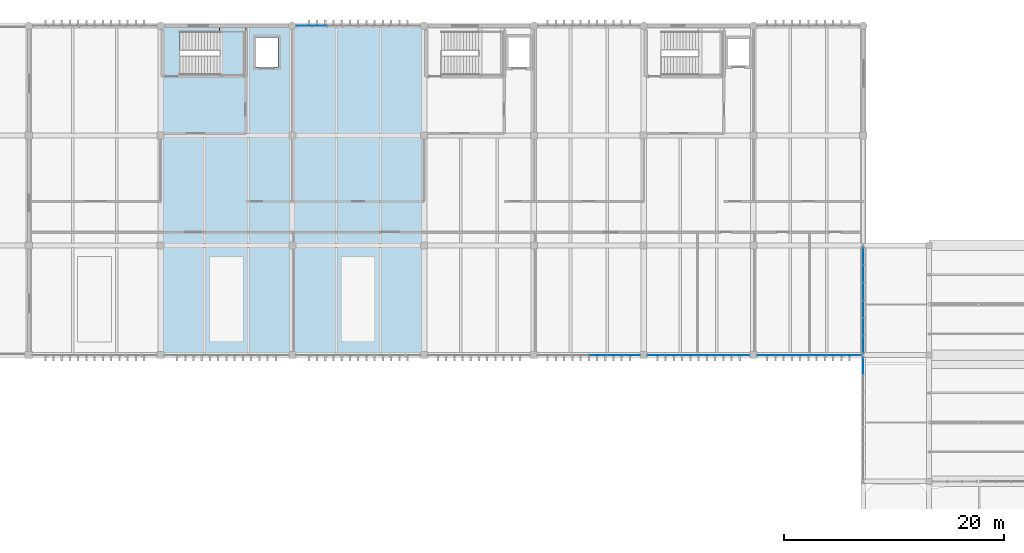
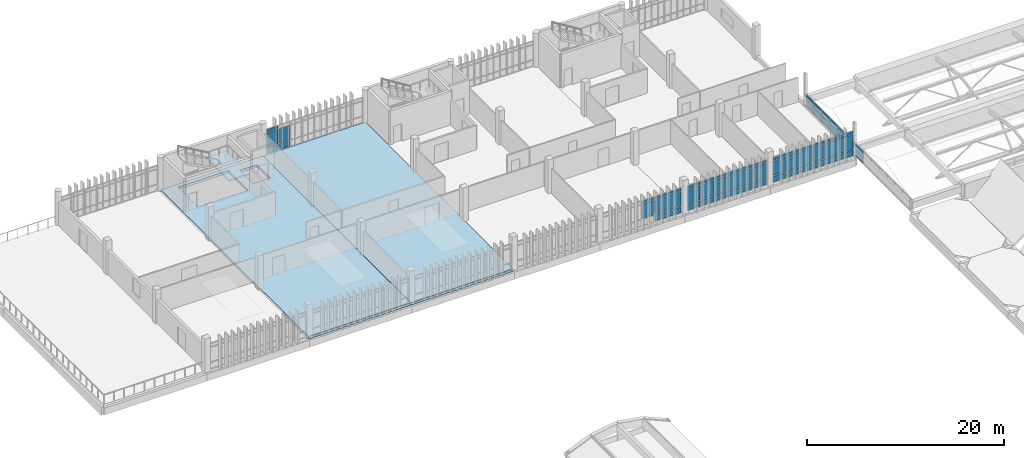
# One storey, part 69 of 82: 63 plates, 3 slabs, 7 elements without a shape of their own.
"""IFC4 building model written with IfcOpenShell, lengths in metres."""

from ifc_helpers import new_model, si_unit, direction, frame, origin, origin_2d, place, context, subcontext, project, spatial, polyline, rectangle, outline, extrude, material, layer, layer_set, type_object, element, aggregate, save


model = new_model("IFC4")

# Units and contexts
model_context = context("Model", 3, precision=1e-05, world=origin(), true_north=direction((0.0, 1.0)))
body_context = subcontext(model_context, "Body", "Model", "MODEL_VIEW")
ifc_project = project(units=[si_unit("LENGTHUNIT", "METRE"), si_unit("AREAUNIT", "SQUARE_METRE"), si_unit("VOLUMEUNIT", "CUBIC_METRE"), si_unit("PLANEANGLEUNIT", "RADIAN"), si_unit("MASSUNIT", "GRAM", prefix="KILO")], contexts=[model_context])

# Site, building, storey
site_placement = place(None, origin())
site = spatial("IfcSite", under=ifc_project, at=site_placement, CompositionType="ELEMENT")
building_placement = place(site_placement, origin())
building = spatial("IfcBuilding", under=site, at=building_placement, Name="Mersad Railyard Sports Hall", CompositionType="ELEMENT")
storey_placement = place(building_placement, frame((0.0, 0.0, 13.199951171875)))
storey = spatial("IfcBuildingStorey", under=building, at=storey_placement, Name="L03", CompositionType="ELEMENT", Elevation=13.199951171875)

# Curtain wall, plates
ifc_material_1 = material(Name="Aluminium 6063-T6", Category="aluminium")
ifc_layer_1 = layer(ifc_material_1, 0.159912109375)
ifc_layer_set_1 = layer_set([ifc_layer_1], Name="Aluminium 6063-T6")
curtain_wall_type_1 = type_object("IfcCurtainWallType", Name="ARC-CW-CW21", PredefinedType="USERDEFINED", material=ifc_layer_set_1)
curtain_wall_1_placement = place(storey_placement, origin())
curtain_wall_1 = element("IfcCurtainWall", 1, at=curtain_wall_1_placement, inside=storey, type_object=curtain_wall_type_1, Name="Curtain wall CW21-0080", ObjectType="CURTAIN WALL", PredefinedType="USERDEFINED")
ifc_material_2 = material(Name="Solar-control glass", Category="glass")
ifc_layer_2 = layer(ifc_material_2, 0.028076171875)
ifc_layer_set_2 = layer_set([ifc_layer_2], Name="Solar-control glass")
plate_type = type_object("IfcPlateType", Name="ARC-CW-PNL01", PredefinedType="CURTAIN_PANEL", material=ifc_layer_set_2)
plate_1_placement = place(storey_placement, frame((131.0, 84.032958984375, 0.0849609375), z_axis=(0.0, 0.0, 1.0), x_axis=(0.0, 1.0, 0.0)))
plate_1 = element("IfcPlate", 2, at=plate_1_placement, type_object=plate_type, Name="CW21 Glazed panel 7-1", PredefinedType="CURTAIN_PANEL", context=body_context, shape_type="SweptSolid", body=[
    extrude(rectangle(XDim=1.55029296875, YDim=0.028076171875, at=origin_2d()), origin(), (0.0, 0.0, 1.0), 0.735107421875),
])
plate_2_placement = place(storey_placement, frame((131.0, 84.032958984375, 0.91015625), z_axis=(0.0, 0.0, 1.0), x_axis=(0.0, 1.0, 0.0)))
plate_2 = element("IfcPlate", 3, at=plate_2_placement, type_object=plate_type, Name="CW21 Glazed panel 7-2", PredefinedType="CURTAIN_PANEL", context=body_context, shape_type="SweptSolid", body=[
    extrude(rectangle(XDim=1.55029296875, YDim=0.028076171875, at=origin_2d()), origin(), (0.0, 0.0, 1.0), 0.735107421875),
])
aggregate(curtain_wall_1, [plate_1, plate_2])

ifc_layer_3 = layer(ifc_material_1, 0.159912109375)
ifc_layer_set_3 = layer_set([ifc_layer_3], Name="Aluminium 6063-T6")
curtain_wall_type_2 = type_object("IfcCurtainWallType", Name="ARC-CW-CW24", PredefinedType="USERDEFINED", material=ifc_layer_set_3)
curtain_wall_2_placement = place(storey_placement, origin())
curtain_wall_2 = element("IfcCurtainWall", 4, at=curtain_wall_2_placement, inside=storey, type_object=curtain_wall_type_2, Name="Curtain wall CW24-0082", ObjectType="CURTAIN WALL", PredefinedType="USERDEFINED")
plate_3_placement = place(storey_placement, frame((131.0, 85.97509765625, 0.0849609375), z_axis=(0.0, 0.0, 1.0), x_axis=(0.0, 1.0, 0.0)))
plate_3 = element("IfcPlate", 5, at=plate_3_placement, type_object=plate_type, Name="CW24 Glazed panel 1-1", PredefinedType="CURTAIN_PANEL", context=body_context, shape_type="SweptSolid", body=[
    extrude(rectangle(XDim=1.56591796875, YDim=0.028076171875, at=origin_2d()), origin(), (0.0, 0.0, 1.0), 0.735107421875),
])
plate_4_placement = place(storey_placement, frame((131.0, 85.97509765625, 0.91015625), z_axis=(0.0, 0.0, 1.0), x_axis=(0.0, 1.0, 0.0)))
plate_4 = element("IfcPlate", 6, at=plate_4_placement, type_object=plate_type, Name="CW24 Glazed panel 1-2", PredefinedType="CURTAIN_PANEL", context=body_context, shape_type="SweptSolid", body=[
    extrude(rectangle(XDim=1.56591796875, YDim=0.028076171875, at=origin_2d()), origin(), (0.0, 0.0, 1.0), 0.735107421875),
])
plate_5_placement = place(storey_placement, frame((131.0, 87.5849609375, 0.0849609375), z_axis=(0.0, 0.0, 1.0), x_axis=(0.0, 1.0, 0.0)))
plate_5 = element("IfcPlate", 7, at=plate_5_placement, type_object=plate_type, Name="CW24 Glazed panel 2-1", PredefinedType="CURTAIN_PANEL", context=body_context, shape_type="SweptSolid", body=[
    extrude(rectangle(XDim=1.56591796875, YDim=0.028076171875, at=origin_2d()), origin(), (0.0, 0.0, 1.0), 0.735107421875),
])
plate_6_placement = place(storey_placement, frame((131.0, 87.5849609375, 0.91015625), z_axis=(0.0, 0.0, 1.0), x_axis=(0.0, 1.0, 0.0)))
plate_6 = element("IfcPlate", 8, at=plate_6_placement, type_object=plate_type, Name="CW24 Glazed panel 2-2", PredefinedType="CURTAIN_PANEL", context=body_context, shape_type="SweptSolid", body=[
    extrude(rectangle(XDim=1.56591796875, YDim=0.028076171875, at=origin_2d()), origin(), (0.0, 0.0, 1.0), 0.735107421875),
])
plate_7_placement = place(storey_placement, frame((131.0, 89.195068359375, 0.0849609375), z_axis=(0.0, 0.0, 1.0), x_axis=(0.0, 1.0, 0.0)))
plate_7 = element("IfcPlate", 9, at=plate_7_placement, type_object=plate_type, Name="CW24 Glazed panel 3-1", PredefinedType="CURTAIN_PANEL", context=body_context, shape_type="SweptSolid", body=[
    extrude(rectangle(XDim=1.56591796875, YDim=0.028076171875, at=origin_2d()), origin(), (0.0, 0.0, 1.0), 0.735107421875),
])
plate_8_placement = place(storey_placement, frame((131.0, 89.195068359375, 0.91015625), z_axis=(0.0, 0.0, 1.0), x_axis=(0.0, 1.0, 0.0)))
plate_8 = element("IfcPlate", 10, at=plate_8_placement, type_object=plate_type, Name="CW24 Glazed panel 3-2", PredefinedType="CURTAIN_PANEL", context=body_context, shape_type="SweptSolid", body=[
    extrude(rectangle(XDim=1.56591796875, YDim=0.028076171875, at=origin_2d()), origin(), (0.0, 0.0, 1.0), 0.735107421875),
])
plate_9_placement = place(storey_placement, frame((131.0, 90.804931640625, 0.0849609375), z_axis=(0.0, 0.0, 1.0), x_axis=(0.0, 1.0, 0.0)))
plate_9 = element("IfcPlate", 11, at=plate_9_placement, type_object=plate_type, Name="CW24 Glazed panel 4-1", PredefinedType="CURTAIN_PANEL", context=body_context, shape_type="SweptSolid", body=[
    extrude(rectangle(XDim=1.56591796875, YDim=0.028076171875, at=origin_2d()), origin(), (0.0, 0.0, 1.0), 0.735107421875),
])
plate_10_placement = place(storey_placement, frame((131.0, 90.804931640625, 0.91015625), z_axis=(0.0, 0.0, 1.0), x_axis=(0.0, 1.0, 0.0)))
plate_10 = element("IfcPlate", 12, at=plate_10_placement, type_object=plate_type, Name="CW24 Glazed panel 4-2", PredefinedType="CURTAIN_PANEL", context=body_context, shape_type="SweptSolid", body=[
    extrude(rectangle(XDim=1.56591796875, YDim=0.028076171875, at=origin_2d()), origin(), (0.0, 0.0, 1.0), 0.735107421875),
])
plate_11_placement = place(storey_placement, frame((131.0, 92.4150390625, 0.0849609375), z_axis=(0.0, 0.0, 1.0), x_axis=(0.0, 1.0, 0.0)))
plate_11 = element("IfcPlate", 13, at=plate_11_placement, type_object=plate_type, Name="CW24 Glazed panel 5-1", PredefinedType="CURTAIN_PANEL", context=body_context, shape_type="SweptSolid", body=[
    extrude(rectangle(XDim=1.56591796875, YDim=0.028076171875, at=origin_2d()), origin(), (0.0, 0.0, 1.0), 0.735107421875),
])
plate_12_placement = place(storey_placement, frame((131.0, 92.4150390625, 0.91015625), z_axis=(0.0, 0.0, 1.0), x_axis=(0.0, 1.0, 0.0)))
plate_12 = element("IfcPlate", 14, at=plate_12_placement, type_object=plate_type, Name="CW24 Glazed panel 5-2", PredefinedType="CURTAIN_PANEL", context=body_context, shape_type="SweptSolid", body=[
    extrude(rectangle(XDim=1.56591796875, YDim=0.028076171875, at=origin_2d()), origin(), (0.0, 0.0, 1.0), 0.735107421875),
])
plate_13_placement = place(storey_placement, frame((131.0, 94.02490234375, 0.0849609375), z_axis=(0.0, 0.0, 1.0), x_axis=(0.0, 1.0, 0.0)))
plate_13 = element("IfcPlate", 15, at=plate_13_placement, type_object=plate_type, Name="CW24 Glazed panel 6-1", PredefinedType="CURTAIN_PANEL", context=body_context, shape_type="SweptSolid", body=[
    extrude(rectangle(XDim=1.56591796875, YDim=0.028076171875, at=origin_2d()), origin(), (0.0, 0.0, 1.0), 0.735107421875),
])
plate_14_placement = place(storey_placement, frame((131.0, 94.02490234375, 0.91015625), z_axis=(0.0, 0.0, 1.0), x_axis=(0.0, 1.0, 0.0)))
plate_14 = element("IfcPlate", 16, at=plate_14_placement, type_object=plate_type, Name="CW24 Glazed panel 6-2", PredefinedType="CURTAIN_PANEL", context=body_context, shape_type="SweptSolid", body=[
    extrude(rectangle(XDim=1.56591796875, YDim=0.028076171875, at=origin_2d()), origin(), (0.0, 0.0, 1.0), 0.735107421875),
])
aggregate(curtain_wall_2, [plate_3, plate_4, plate_5, plate_6, plate_7, plate_8, plate_9, plate_10, plate_11, plate_12, plate_13, plate_14])

ifc_layer_4 = layer(ifc_material_1, 0.159912109375)
ifc_layer_set_4 = layer_set([ifc_layer_4], Name="Aluminium 6063-T6")
curtain_wall_type_3 = type_object("IfcCurtainWallType", Name="ARC-CW-CW57", PredefinedType="USERDEFINED", material=ifc_layer_set_4)
curtain_wall_3_placement = place(storey_placement, origin())
curtain_wall_3 = element("IfcCurtainWall", 17, at=curtain_wall_3_placement, inside=storey, type_object=curtain_wall_type_3, Name="Curtain wall CW57-0152", ObjectType="CURTAIN WALL", PredefinedType="USERDEFINED")
plate_15_placement = place(storey_placement, frame((80.07373046875, 115.0, 0.0849609375), z_axis=(0.0, 0.0, 1.0), x_axis=(1.0, 0.0, 0.0)))
plate_15 = element("IfcPlate", 18, at=plate_15_placement, type_object=plate_type, Name="CW57 Glazed panel 1-1", PredefinedType="CURTAIN_PANEL", context=body_context, shape_type="SweptSolid", body=[
    extrude(rectangle(XDim=1.363525390625, YDim=0.028076171875, at=origin_2d()), origin(), (0.0, 0.0, 1.0), 0.719970703125),
])
plate_16_placement = place(storey_placement, frame((80.07373046875, 115.0, 0.89501953125), z_axis=(0.0, 0.0, 1.0), x_axis=(1.0, 0.0, 0.0)))
plate_16 = element("IfcPlate", 19, at=plate_16_placement, type_object=plate_type, Name="CW57 Glazed panel 1-2", PredefinedType="CURTAIN_PANEL", context=body_context, shape_type="SweptSolid", body=[
    extrude(rectangle(XDim=1.363525390625, YDim=0.028076171875, at=origin_2d()), origin(), (0.0, 0.0, 1.0), 1.7900390625),
])
plate_17_placement = place(storey_placement, frame((80.07373046875, 115.0, 2.77490234375), z_axis=(0.0, 0.0, 1.0), x_axis=(1.0, 0.0, 0.0)))
plate_17 = element("IfcPlate", 20, at=plate_17_placement, type_object=plate_type, Name="CW57 Glazed panel 1-3", PredefinedType="CURTAIN_PANEL", context=body_context, shape_type="SweptSolid", body=[
    extrude(rectangle(XDim=1.363525390625, YDim=0.028076171875, at=origin_2d()), origin(), (0.0, 0.0, 1.0), 0.35009765625),
])
plate_18_placement = place(storey_placement, frame((81.481201171875, 115.0, 0.0849609375), z_axis=(0.0, 0.0, 1.0), x_axis=(1.0, 0.0, 0.0)))
plate_18 = element("IfcPlate", 21, at=plate_18_placement, type_object=plate_type, Name="CW57 Glazed panel 2-1", PredefinedType="CURTAIN_PANEL", context=body_context, shape_type="SweptSolid", body=[
    extrude(rectangle(XDim=1.363525390625, YDim=0.028076171875, at=origin_2d()), origin(), (0.0, 0.0, 1.0), 0.719970703125),
])
plate_19_placement = place(storey_placement, frame((81.481201171875, 115.0, 0.89501953125), z_axis=(0.0, 0.0, 1.0), x_axis=(1.0, 0.0, 0.0)))
plate_19 = element("IfcPlate", 22, at=plate_19_placement, type_object=plate_type, Name="CW57 Glazed panel 2-2", PredefinedType="CURTAIN_PANEL", context=body_context, shape_type="SweptSolid", body=[
    extrude(rectangle(XDim=1.363525390625, YDim=0.028076171875, at=origin_2d()), origin(), (0.0, 0.0, 1.0), 1.7900390625),
])
aggregate(curtain_wall_3, [plate_15, plate_16, plate_17, plate_18, plate_19])

ifc_layer_5 = layer(ifc_material_1, 0.159912109375)
ifc_layer_set_5 = layer_set([ifc_layer_5], Name="Aluminium 6063-T6")
curtain_wall_type_4 = type_object("IfcCurtainWallType", Name="ARC-CW-CW60", PredefinedType="USERDEFINED", material=ifc_layer_set_5)
curtain_wall_4_placement = place(storey_placement, origin())
curtain_wall_4 = element("IfcCurtainWall", 23, at=curtain_wall_4_placement, inside=storey, type_object=curtain_wall_type_4, Name="Curtain wall CW60-0159", ObjectType="CURTAIN WALL", PredefinedType="USERDEFINED")
plate_20_placement = place(storey_placement, frame((109.879150390625, 85.0, 0.0849609375), z_axis=(0.0, 0.0, 1.0), x_axis=(-1.0, 0.0, 0.0)))
plate_20 = element("IfcPlate", 24, at=plate_20_placement, type_object=plate_type, Name="CW60 Glazed panel 1-1", PredefinedType="CURTAIN_PANEL", context=body_context, shape_type="SweptSolid", body=[
    extrude(rectangle(XDim=1.507568359375, YDim=0.028076171875, at=origin_2d()), origin(), (0.0, 0.0, 1.0), 0.719970703125),
])
plate_21_placement = place(storey_placement, frame((109.879150390625, 85.0, 0.89501953125), z_axis=(0.0, 0.0, 1.0), x_axis=(-1.0, 0.0, 0.0)))
plate_21 = element("IfcPlate", 25, at=plate_21_placement, type_object=plate_type, Name="CW60 Glazed panel 1-2", PredefinedType="CURTAIN_PANEL", context=body_context, shape_type="SweptSolid", body=[
    extrude(rectangle(XDim=1.507568359375, YDim=0.028076171875, at=origin_2d()), origin(), (0.0, 0.0, 1.0), 1.7900390625),
])
plate_22_placement = place(storey_placement, frame((109.879150390625, 85.0, 2.77490234375), z_axis=(0.0, 0.0, 1.0), x_axis=(-1.0, 0.0, 0.0)))
plate_22 = element("IfcPlate", 26, at=plate_22_placement, type_object=plate_type, Name="CW60 Glazed panel 1-3", PredefinedType="CURTAIN_PANEL", context=body_context, shape_type="SweptSolid", body=[
    extrude(rectangle(XDim=1.507568359375, YDim=0.028076171875, at=origin_2d()), origin(), (0.0, 0.0, 1.0), 0.35009765625),
])
plate_23_placement = place(storey_placement, frame((108.327392578125, 85.0, 0.0849609375), z_axis=(0.0, 0.0, 1.0), x_axis=(-1.0, 0.0, 0.0)))
plate_23 = element("IfcPlate", 27, at=plate_23_placement, type_object=plate_type, Name="CW60 Glazed panel 2-1", PredefinedType="CURTAIN_PANEL", context=body_context, shape_type="SweptSolid", body=[
    extrude(rectangle(XDim=1.507568359375, YDim=0.028076171875, at=origin_2d()), origin(), (0.0, 0.0, 1.0), 0.719970703125),
])
plate_24_placement = place(storey_placement, frame((108.327392578125, 85.0, 0.89501953125), z_axis=(0.0, 0.0, 1.0), x_axis=(-1.0, 0.0, 0.0)))
plate_24 = element("IfcPlate", 28, at=plate_24_placement, type_object=plate_type, Name="CW60 Glazed panel 2-2", PredefinedType="CURTAIN_PANEL", context=body_context, shape_type="SweptSolid", body=[
    extrude(rectangle(XDim=1.507568359375, YDim=0.028076171875, at=origin_2d()), origin(), (0.0, 0.0, 1.0), 1.7900390625),
])
plate_25_placement = place(storey_placement, frame((108.327392578125, 85.0, 2.77490234375), z_axis=(0.0, 0.0, 1.0), x_axis=(-1.0, 0.0, 0.0)))
plate_25 = element("IfcPlate", 29, at=plate_25_placement, type_object=plate_type, Name="CW60 Glazed panel 2-3", PredefinedType="CURTAIN_PANEL", context=body_context, shape_type="SweptSolid", body=[
    extrude(rectangle(XDim=1.507568359375, YDim=0.028076171875, at=origin_2d()), origin(), (0.0, 0.0, 1.0), 0.35009765625),
])
plate_26_placement = place(storey_placement, frame((106.77587890625, 85.0, 0.89501953125), z_axis=(0.0, 0.0, 1.0), x_axis=(-1.0, 0.0, 0.0)))
plate_26 = element("IfcPlate", 30, at=plate_26_placement, type_object=plate_type, Name="CW60 Glazed panel 3-2", PredefinedType="CURTAIN_PANEL", context=body_context, shape_type="SweptSolid", body=[
    extrude(rectangle(XDim=1.507568359375, YDim=0.028076171875, at=origin_2d()), origin(), (0.0, 0.0, 1.0), 1.7900390625),
])
plate_27_placement = place(storey_placement, frame((106.77587890625, 85.0, 2.77490234375), z_axis=(0.0, 0.0, 1.0), x_axis=(-1.0, 0.0, 0.0)))
plate_27 = element("IfcPlate", 31, at=plate_27_placement, type_object=plate_type, Name="CW60 Glazed panel 3-3", PredefinedType="CURTAIN_PANEL", context=body_context, shape_type="SweptSolid", body=[
    extrude(rectangle(XDim=1.507568359375, YDim=0.028076171875, at=origin_2d()), origin(), (0.0, 0.0, 1.0), 0.35009765625),
])
aggregate(curtain_wall_4, [plate_20, plate_21, plate_22, plate_23, plate_24, plate_25, plate_26, plate_27])

curtain_wall_5_placement = place(storey_placement, origin())
curtain_wall_5 = element("IfcCurtainWall", 32, at=curtain_wall_5_placement, inside=storey, type_object=curtain_wall_type_4, Name="Curtain wall CW60-0160", ObjectType="CURTAIN WALL", PredefinedType="USERDEFINED")
plate_28_placement = place(storey_placement, frame((119.879150390625, 85.0, 0.0849609375), z_axis=(0.0, 0.0, 1.0), x_axis=(-1.0, 0.0, 0.0)))
plate_28 = element("IfcPlate", 33, at=plate_28_placement, type_object=plate_type, Name="CW60 Glazed panel 1-1", PredefinedType="CURTAIN_PANEL", context=body_context, shape_type="SweptSolid", body=[
    extrude(rectangle(XDim=1.507568359375, YDim=0.028076171875, at=origin_2d()), origin(), (0.0, 0.0, 1.0), 0.719970703125),
])
plate_29_placement = place(storey_placement, frame((119.879150390625, 85.0, 0.89501953125), z_axis=(0.0, 0.0, 1.0), x_axis=(-1.0, 0.0, 0.0)))
plate_29 = element("IfcPlate", 34, at=plate_29_placement, type_object=plate_type, Name="CW60 Glazed panel 1-2", PredefinedType="CURTAIN_PANEL", context=body_context, shape_type="SweptSolid", body=[
    extrude(rectangle(XDim=1.507568359375, YDim=0.028076171875, at=origin_2d()), origin(), (0.0, 0.0, 1.0), 1.7900390625),
])
plate_30_placement = place(storey_placement, frame((119.879150390625, 85.0, 2.77490234375), z_axis=(0.0, 0.0, 1.0), x_axis=(-1.0, 0.0, 0.0)))
plate_30 = element("IfcPlate", 35, at=plate_30_placement, type_object=plate_type, Name="CW60 Glazed panel 1-3", PredefinedType="CURTAIN_PANEL", context=body_context, shape_type="SweptSolid", body=[
    extrude(rectangle(XDim=1.507568359375, YDim=0.028076171875, at=origin_2d()), origin(), (0.0, 0.0, 1.0), 0.35009765625),
])
plate_31_placement = place(storey_placement, frame((118.327392578125, 85.0, 0.0849609375), z_axis=(0.0, 0.0, 1.0), x_axis=(-1.0, 0.0, 0.0)))
plate_31 = element("IfcPlate", 36, at=plate_31_placement, type_object=plate_type, Name="CW60 Glazed panel 2-1", PredefinedType="CURTAIN_PANEL", context=body_context, shape_type="SweptSolid", body=[
    extrude(rectangle(XDim=1.507568359375, YDim=0.028076171875, at=origin_2d()), origin(), (0.0, 0.0, 1.0), 0.719970703125),
])
plate_32_placement = place(storey_placement, frame((118.327392578125, 85.0, 0.89501953125), z_axis=(0.0, 0.0, 1.0), x_axis=(-1.0, 0.0, 0.0)))
plate_32 = element("IfcPlate", 37, at=plate_32_placement, type_object=plate_type, Name="CW60 Glazed panel 2-2", PredefinedType="CURTAIN_PANEL", context=body_context, shape_type="SweptSolid", body=[
    extrude(rectangle(XDim=1.507568359375, YDim=0.028076171875, at=origin_2d()), origin(), (0.0, 0.0, 1.0), 1.7900390625),
])
plate_33_placement = place(storey_placement, frame((118.327392578125, 85.0, 2.77490234375), z_axis=(0.0, 0.0, 1.0), x_axis=(-1.0, 0.0, 0.0)))
plate_33 = element("IfcPlate", 38, at=plate_33_placement, type_object=plate_type, Name="CW60 Glazed panel 2-3", PredefinedType="CURTAIN_PANEL", context=body_context, shape_type="SweptSolid", body=[
    extrude(rectangle(XDim=1.507568359375, YDim=0.028076171875, at=origin_2d()), origin(), (0.0, 0.0, 1.0), 0.35009765625),
])
plate_34_placement = place(storey_placement, frame((116.77587890625, 85.0, 0.0849609375), z_axis=(0.0, 0.0, 1.0), x_axis=(-1.0, 0.0, 0.0)))
plate_34 = element("IfcPlate", 39, at=plate_34_placement, type_object=plate_type, Name="CW60 Glazed panel 3-1", PredefinedType="CURTAIN_PANEL", context=body_context, shape_type="SweptSolid", body=[
    extrude(rectangle(XDim=1.507568359375, YDim=0.028076171875, at=origin_2d()), origin(), (0.0, 0.0, 1.0), 0.719970703125),
])
plate_35_placement = place(storey_placement, frame((116.77587890625, 85.0, 0.89501953125), z_axis=(0.0, 0.0, 1.0), x_axis=(-1.0, 0.0, 0.0)))
plate_35 = element("IfcPlate", 40, at=plate_35_placement, type_object=plate_type, Name="CW60 Glazed panel 3-2", PredefinedType="CURTAIN_PANEL", context=body_context, shape_type="SweptSolid", body=[
    extrude(rectangle(XDim=1.507568359375, YDim=0.028076171875, at=origin_2d()), origin(), (0.0, 0.0, 1.0), 1.7900390625),
])
plate_36_placement = place(storey_placement, frame((116.77587890625, 85.0, 2.77490234375), z_axis=(0.0, 0.0, 1.0), x_axis=(-1.0, 0.0, 0.0)))
plate_36 = element("IfcPlate", 41, at=plate_36_placement, type_object=plate_type, Name="CW60 Glazed panel 3-3", PredefinedType="CURTAIN_PANEL", context=body_context, shape_type="SweptSolid", body=[
    extrude(rectangle(XDim=1.507568359375, YDim=0.028076171875, at=origin_2d()), origin(), (0.0, 0.0, 1.0), 0.35009765625),
])
plate_37_placement = place(storey_placement, frame((115.22412109375, 85.0, 0.0849609375), z_axis=(0.0, 0.0, 1.0), x_axis=(-1.0, 0.0, 0.0)))
plate_37 = element("IfcPlate", 42, at=plate_37_placement, type_object=plate_type, Name="CW60 Glazed panel 4-1", PredefinedType="CURTAIN_PANEL", context=body_context, shape_type="SweptSolid", body=[
    extrude(rectangle(XDim=1.507568359375, YDim=0.028076171875, at=origin_2d()), origin(), (0.0, 0.0, 1.0), 0.719970703125),
])
plate_38_placement = place(storey_placement, frame((115.22412109375, 85.0, 0.89501953125), z_axis=(0.0, 0.0, 1.0), x_axis=(-1.0, 0.0, 0.0)))
plate_38 = element("IfcPlate", 43, at=plate_38_placement, type_object=plate_type, Name="CW60 Glazed panel 4-2", PredefinedType="CURTAIN_PANEL", context=body_context, shape_type="SweptSolid", body=[
    extrude(rectangle(XDim=1.507568359375, YDim=0.028076171875, at=origin_2d()), origin(), (0.0, 0.0, 1.0), 1.7900390625),
])
plate_39_placement = place(storey_placement, frame((115.22412109375, 85.0, 2.77490234375), z_axis=(0.0, 0.0, 1.0), x_axis=(-1.0, 0.0, 0.0)))
plate_39 = element("IfcPlate", 44, at=plate_39_placement, type_object=plate_type, Name="CW60 Glazed panel 4-3", PredefinedType="CURTAIN_PANEL", context=body_context, shape_type="SweptSolid", body=[
    extrude(rectangle(XDim=1.507568359375, YDim=0.028076171875, at=origin_2d()), origin(), (0.0, 0.0, 1.0), 0.35009765625),
])
plate_40_placement = place(storey_placement, frame((113.672607421875, 85.0, 0.0849609375), z_axis=(0.0, 0.0, 1.0), x_axis=(-1.0, 0.0, 0.0)))
plate_40 = element("IfcPlate", 45, at=plate_40_placement, type_object=plate_type, Name="CW60 Glazed panel 5-1", PredefinedType="CURTAIN_PANEL", context=body_context, shape_type="SweptSolid", body=[
    extrude(rectangle(XDim=1.507568359375, YDim=0.028076171875, at=origin_2d()), origin(), (0.0, 0.0, 1.0), 0.719970703125),
])
plate_41_placement = place(storey_placement, frame((113.672607421875, 85.0, 0.89501953125), z_axis=(0.0, 0.0, 1.0), x_axis=(-1.0, 0.0, 0.0)))
plate_41 = element("IfcPlate", 46, at=plate_41_placement, type_object=plate_type, Name="CW60 Glazed panel 5-2", PredefinedType="CURTAIN_PANEL", context=body_context, shape_type="SweptSolid", body=[
    extrude(rectangle(XDim=1.507568359375, YDim=0.028076171875, at=origin_2d()), origin(), (0.0, 0.0, 1.0), 1.7900390625),
])
plate_42_placement = place(storey_placement, frame((113.672607421875, 85.0, 2.77490234375), z_axis=(0.0, 0.0, 1.0), x_axis=(-1.0, 0.0, 0.0)))
plate_42 = element("IfcPlate", 47, at=plate_42_placement, type_object=plate_type, Name="CW60 Glazed panel 5-3", PredefinedType="CURTAIN_PANEL", context=body_context, shape_type="SweptSolid", body=[
    extrude(rectangle(XDim=1.507568359375, YDim=0.028076171875, at=origin_2d()), origin(), (0.0, 0.0, 1.0), 0.35009765625),
])
plate_43_placement = place(storey_placement, frame((112.120849609375, 85.0, 0.0849609375), z_axis=(0.0, 0.0, 1.0), x_axis=(-1.0, 0.0, 0.0)))
plate_43 = element("IfcPlate", 48, at=plate_43_placement, type_object=plate_type, Name="CW60 Glazed panel 6-1", PredefinedType="CURTAIN_PANEL", context=body_context, shape_type="SweptSolid", body=[
    extrude(rectangle(XDim=1.507568359375, YDim=0.028076171875, at=origin_2d()), origin(), (0.0, 0.0, 1.0), 0.719970703125),
])
plate_44_placement = place(storey_placement, frame((112.120849609375, 85.0, 0.89501953125), z_axis=(0.0, 0.0, 1.0), x_axis=(-1.0, 0.0, 0.0)))
plate_44 = element("IfcPlate", 49, at=plate_44_placement, type_object=plate_type, Name="CW60 Glazed panel 6-2", PredefinedType="CURTAIN_PANEL", context=body_context, shape_type="SweptSolid", body=[
    extrude(rectangle(XDim=1.507568359375, YDim=0.028076171875, at=origin_2d()), origin(), (0.0, 0.0, 1.0), 1.7900390625),
])
plate_45_placement = place(storey_placement, frame((112.120849609375, 85.0, 2.77490234375), z_axis=(0.0, 0.0, 1.0), x_axis=(-1.0, 0.0, 0.0)))
plate_45 = element("IfcPlate", 50, at=plate_45_placement, type_object=plate_type, Name="CW60 Glazed panel 6-3", PredefinedType="CURTAIN_PANEL", context=body_context, shape_type="SweptSolid", body=[
    extrude(rectangle(XDim=1.507568359375, YDim=0.028076171875, at=origin_2d()), origin(), (0.0, 0.0, 1.0), 0.35009765625),
])
aggregate(curtain_wall_5, [plate_28, plate_29, plate_30, plate_31, plate_32, plate_33, plate_34, plate_35, plate_36, plate_37, plate_38, plate_39, plate_40, plate_41, plate_42, plate_43, plate_44, plate_45])

ifc_layer_6 = layer(ifc_material_1, 0.159912109375)
ifc_layer_set_6 = layer_set([ifc_layer_6], Name="Aluminium 6063-T6")
curtain_wall_type_5 = type_object("IfcCurtainWallType", Name="ARC-CW-CW61", PredefinedType="USERDEFINED", material=ifc_layer_set_6)
curtain_wall_6_placement = place(storey_placement, origin())
curtain_wall_6 = element("IfcCurtainWall", 51, at=curtain_wall_6_placement, inside=storey, type_object=curtain_wall_type_5, Name="Curtain wall CW61-0161", ObjectType="CURTAIN WALL", PredefinedType="USERDEFINED")
plate_46_placement = place(storey_placement, frame((130.03955078125, 85.0, 0.0849609375), z_axis=(0.0, 0.0, 1.0), x_axis=(-1.0, 0.0, 0.0)))
plate_46 = element("IfcPlate", 52, at=plate_46_placement, type_object=plate_type, Name="CW61 Glazed panel 1-1", PredefinedType="CURTAIN_PANEL", context=body_context, shape_type="SweptSolid", body=[
    extrude(rectangle(XDim=1.536865234375, YDim=0.028076171875, at=origin_2d()), origin(), (0.0, 0.0, 1.0), 0.719970703125),
])
plate_47_placement = place(storey_placement, frame((130.03955078125, 85.0, 0.89501953125), z_axis=(0.0, 0.0, 1.0), x_axis=(-1.0, 0.0, 0.0)))
plate_47 = element("IfcPlate", 53, at=plate_47_placement, type_object=plate_type, Name="CW61 Glazed panel 1-2", PredefinedType="CURTAIN_PANEL", context=body_context, shape_type="SweptSolid", body=[
    extrude(rectangle(XDim=1.536865234375, YDim=0.028076171875, at=origin_2d()), origin(), (0.0, 0.0, 1.0), 1.7900390625),
])
plate_48_placement = place(storey_placement, frame((130.03955078125, 85.0, 2.77490234375), z_axis=(0.0, 0.0, 1.0), x_axis=(-1.0, 0.0, 0.0)))
plate_48 = element("IfcPlate", 54, at=plate_48_placement, type_object=plate_type, Name="CW61 Glazed panel 1-3", PredefinedType="CURTAIN_PANEL", context=body_context, shape_type="SweptSolid", body=[
    extrude(rectangle(XDim=1.536865234375, YDim=0.028076171875, at=origin_2d()), origin(), (0.0, 0.0, 1.0), 0.35009765625),
])
plate_49_placement = place(storey_placement, frame((128.458740234375, 85.0, 0.0849609375), z_axis=(0.0, 0.0, 1.0), x_axis=(-1.0, 0.0, 0.0)))
plate_49 = element("IfcPlate", 55, at=plate_49_placement, type_object=plate_type, Name="CW61 Glazed panel 2-1", PredefinedType="CURTAIN_PANEL", context=body_context, shape_type="SweptSolid", body=[
    extrude(rectangle(XDim=1.536865234375, YDim=0.028076171875, at=origin_2d()), origin(), (0.0, 0.0, 1.0), 0.719970703125),
])
plate_50_placement = place(storey_placement, frame((128.458740234375, 85.0, 0.89501953125), z_axis=(0.0, 0.0, 1.0), x_axis=(-1.0, 0.0, 0.0)))
plate_50 = element("IfcPlate", 56, at=plate_50_placement, type_object=plate_type, Name="CW61 Glazed panel 2-2", PredefinedType="CURTAIN_PANEL", context=body_context, shape_type="SweptSolid", body=[
    extrude(rectangle(XDim=1.536865234375, YDim=0.028076171875, at=origin_2d()), origin(), (0.0, 0.0, 1.0), 1.7900390625),
])
plate_51_placement = place(storey_placement, frame((128.458740234375, 85.0, 2.77490234375), z_axis=(0.0, 0.0, 1.0), x_axis=(-1.0, 0.0, 0.0)))
plate_51 = element("IfcPlate", 57, at=plate_51_placement, type_object=plate_type, Name="CW61 Glazed panel 2-3", PredefinedType="CURTAIN_PANEL", context=body_context, shape_type="SweptSolid", body=[
    extrude(rectangle(XDim=1.536865234375, YDim=0.028076171875, at=origin_2d()), origin(), (0.0, 0.0, 1.0), 0.35009765625),
])
plate_52_placement = place(storey_placement, frame((126.8779296875, 85.0, 0.0849609375), z_axis=(0.0, 0.0, 1.0), x_axis=(-1.0, 0.0, 0.0)))
plate_52 = element("IfcPlate", 58, at=plate_52_placement, type_object=plate_type, Name="CW61 Glazed panel 3-1", PredefinedType="CURTAIN_PANEL", context=body_context, shape_type="SweptSolid", body=[
    extrude(rectangle(XDim=1.536865234375, YDim=0.028076171875, at=origin_2d()), origin(), (0.0, 0.0, 1.0), 0.719970703125),
])
plate_53_placement = place(storey_placement, frame((126.8779296875, 85.0, 0.89501953125), z_axis=(0.0, 0.0, 1.0), x_axis=(-1.0, 0.0, 0.0)))
plate_53 = element("IfcPlate", 59, at=plate_53_placement, type_object=plate_type, Name="CW61 Glazed panel 3-2", PredefinedType="CURTAIN_PANEL", context=body_context, shape_type="SweptSolid", body=[
    extrude(rectangle(XDim=1.536865234375, YDim=0.028076171875, at=origin_2d()), origin(), (0.0, 0.0, 1.0), 1.7900390625),
])
plate_54_placement = place(storey_placement, frame((126.8779296875, 85.0, 2.77490234375), z_axis=(0.0, 0.0, 1.0), x_axis=(-1.0, 0.0, 0.0)))
plate_54 = element("IfcPlate", 60, at=plate_54_placement, type_object=plate_type, Name="CW61 Glazed panel 3-3", PredefinedType="CURTAIN_PANEL", context=body_context, shape_type="SweptSolid", body=[
    extrude(rectangle(XDim=1.536865234375, YDim=0.028076171875, at=origin_2d()), origin(), (0.0, 0.0, 1.0), 0.35009765625),
])
plate_55_placement = place(storey_placement, frame((125.297119140625, 85.0, 0.0849609375), z_axis=(0.0, 0.0, 1.0), x_axis=(-1.0, 0.0, 0.0)))
plate_55 = element("IfcPlate", 61, at=plate_55_placement, type_object=plate_type, Name="CW61 Glazed panel 4-1", PredefinedType="CURTAIN_PANEL", context=body_context, shape_type="SweptSolid", body=[
    extrude(rectangle(XDim=1.536865234375, YDim=0.028076171875, at=origin_2d()), origin(), (0.0, 0.0, 1.0), 0.719970703125),
])
plate_56_placement = place(storey_placement, frame((125.297119140625, 85.0, 0.89501953125), z_axis=(0.0, 0.0, 1.0), x_axis=(-1.0, 0.0, 0.0)))
plate_56 = element("IfcPlate", 62, at=plate_56_placement, type_object=plate_type, Name="CW61 Glazed panel 4-2", PredefinedType="CURTAIN_PANEL", context=body_context, shape_type="SweptSolid", body=[
    extrude(rectangle(XDim=1.536865234375, YDim=0.028076171875, at=origin_2d()), origin(), (0.0, 0.0, 1.0), 1.7900390625),
])
plate_57_placement = place(storey_placement, frame((125.297119140625, 85.0, 2.77490234375), z_axis=(0.0, 0.0, 1.0), x_axis=(-1.0, 0.0, 0.0)))
plate_57 = element("IfcPlate", 63, at=plate_57_placement, type_object=plate_type, Name="CW61 Glazed panel 4-3", PredefinedType="CURTAIN_PANEL", context=body_context, shape_type="SweptSolid", body=[
    extrude(rectangle(XDim=1.536865234375, YDim=0.028076171875, at=origin_2d()), origin(), (0.0, 0.0, 1.0), 0.35009765625),
])
plate_58_placement = place(storey_placement, frame((123.71630859375, 85.0, 0.0849609375), z_axis=(0.0, 0.0, 1.0), x_axis=(-1.0, 0.0, 0.0)))
plate_58 = element("IfcPlate", 64, at=plate_58_placement, type_object=plate_type, Name="CW61 Glazed panel 5-1", PredefinedType="CURTAIN_PANEL", context=body_context, shape_type="SweptSolid", body=[
    extrude(rectangle(XDim=1.536865234375, YDim=0.028076171875, at=origin_2d()), origin(), (0.0, 0.0, 1.0), 0.719970703125),
])
plate_59_placement = place(storey_placement, frame((123.71630859375, 85.0, 0.89501953125), z_axis=(0.0, 0.0, 1.0), x_axis=(-1.0, 0.0, 0.0)))
plate_59 = element("IfcPlate", 65, at=plate_59_placement, type_object=plate_type, Name="CW61 Glazed panel 5-2", PredefinedType="CURTAIN_PANEL", context=body_context, shape_type="SweptSolid", body=[
    extrude(rectangle(XDim=1.536865234375, YDim=0.028076171875, at=origin_2d()), origin(), (0.0, 0.0, 1.0), 1.7900390625),
])
plate_60_placement = place(storey_placement, frame((123.71630859375, 85.0, 2.77490234375), z_axis=(0.0, 0.0, 1.0), x_axis=(-1.0, 0.0, 0.0)))
plate_60 = element("IfcPlate", 66, at=plate_60_placement, type_object=plate_type, Name="CW61 Glazed panel 5-3", PredefinedType="CURTAIN_PANEL", context=body_context, shape_type="SweptSolid", body=[
    extrude(rectangle(XDim=1.536865234375, YDim=0.028076171875, at=origin_2d()), origin(), (0.0, 0.0, 1.0), 0.35009765625),
])
plate_61_placement = place(storey_placement, frame((122.135498046875, 85.0, 0.0849609375), z_axis=(0.0, 0.0, 1.0), x_axis=(-1.0, 0.0, 0.0)))
plate_61 = element("IfcPlate", 67, at=plate_61_placement, type_object=plate_type, Name="CW61 Glazed panel 6-1", PredefinedType="CURTAIN_PANEL", context=body_context, shape_type="SweptSolid", body=[
    extrude(rectangle(XDim=1.536865234375, YDim=0.028076171875, at=origin_2d()), origin(), (0.0, 0.0, 1.0), 0.719970703125),
])
plate_62_placement = place(storey_placement, frame((122.135498046875, 85.0, 0.89501953125), z_axis=(0.0, 0.0, 1.0), x_axis=(-1.0, 0.0, 0.0)))
plate_62 = element("IfcPlate", 68, at=plate_62_placement, type_object=plate_type, Name="CW61 Glazed panel 6-2", PredefinedType="CURTAIN_PANEL", context=body_context, shape_type="SweptSolid", body=[
    extrude(rectangle(XDim=1.536865234375, YDim=0.028076171875, at=origin_2d()), origin(), (0.0, 0.0, 1.0), 1.7900390625),
])
plate_63_placement = place(storey_placement, frame((122.135498046875, 85.0, 2.77490234375), z_axis=(0.0, 0.0, 1.0), x_axis=(-1.0, 0.0, 0.0)))
plate_63 = element("IfcPlate", 69, at=plate_63_placement, type_object=plate_type, Name="CW61 Glazed panel 6-3", PredefinedType="CURTAIN_PANEL", context=body_context, shape_type="SweptSolid", body=[
    extrude(rectangle(XDim=1.536865234375, YDim=0.028076171875, at=origin_2d()), origin(), (0.0, 0.0, 1.0), 0.35009765625),
])
aggregate(curtain_wall_6, [plate_46, plate_47, plate_48, plate_49, plate_50, plate_51, plate_52, plate_53, plate_54, plate_55, plate_56, plate_57, plate_58, plate_59, plate_60, plate_61, plate_62, plate_63])

# Slabs
ifc_material_3 = material(Name="Concrete C40/50", Category="concrete")
ifc_layer_7 = layer(ifc_material_3, 0.320068359375)
ifc_layer_set_7 = layer_set([ifc_layer_7], Name="Concrete C40/50")
slab_type_1 = type_object("IfcSlabType", Name="STR-SL-FL04", PredefinedType="FLOOR", material=ifc_layer_set_7)
slab_1_placement = place(storey_placement, frame((0.0, 0.0, -0.320068359375)))
element("IfcSlab", 70, at=slab_1_placement, inside=storey, type_object=slab_type_1, Name="Slab SL04-0114", PredefinedType="FLOOR", context=body_context, shape_type="SweptSolid", body=[
    extrude(outline(polyline([(67.0, 85.0), (79.0, 85.0), (79.0, 115.0), (67.0, 115.0), (67.0, 85.0)]), holes=[polyline([(68.7900390625, 110.5), (74.64990234375, 110.5), (74.64990234375, 114.5), (68.7900390625, 114.5), (68.7900390625, 110.5)]), polyline([(75.699951171875, 111.25), (77.699951171875, 111.25), (77.699951171875, 113.949951171875), (75.699951171875, 113.949951171875), (75.699951171875, 111.25)])]), origin(), (0.0, 0.0, 1.0), 0.320068359375),
])
slab_2_placement = place(storey_placement, frame((0.0, 0.0, -0.320068359375)))
element("IfcSlab", 71, at=slab_2_placement, inside=storey, type_object=slab_type_1, Name="Slab SL04-0115", PredefinedType="FLOOR", context=body_context, shape_type="SweptSolid", body=[
    extrude(outline(polyline([(79.0, 85.0), (91.0, 85.0), (91.0, 115.0), (79.0, 115.0), (79.0, 85.0)])), origin(), (0.0, 0.0, 1.0), 0.320068359375),
])

# Stair, slab
stair_type = type_object("IfcStairType", Name="ARC-ST-ST01E", PredefinedType="HALF_TURN_STAIR", material=ifc_material_3)
stair_placement = place(storey_placement, origin())
stair = element("IfcStair", 72, at=stair_placement, inside=storey, type_object=stair_type, Name="Core C1 Exit Stair L03-L04", PredefinedType="HALF_TURN_STAIR")
ifc_layer_8 = layer(ifc_material_3, 0.179931640625)
ifc_layer_set_8 = layer_set([ifc_layer_8], Name="Concrete C40/50")
slab_type_2 = type_object("IfcSlabType", Name="STR-SL-LD01", PredefinedType="LANDING", material=ifc_layer_set_8)
slab_3_placement = place(storey_placement, frame((0.0, 0.0, 1.920166015625)))
slab_3 = element("IfcSlab", 73, at=slab_3_placement, type_object=slab_type_2, Name="Core C1 Exit Stair L03-L04 Half Landing", PredefinedType="LANDING", context=body_context, shape_type="SweptSolid", body=[
    extrude(outline(polyline([(72.35595703125, 110.3798828125), (74.77001953125, 110.3798828125), (74.77001953125, 115.050048828125), (72.35595703125, 115.050048828125), (72.35595703125, 110.3798828125)])), origin(), (0.0, 0.0, 1.0), 0.179931640625),
])
aggregate(stair, [slab_3])

save(model, "model.ifc")
